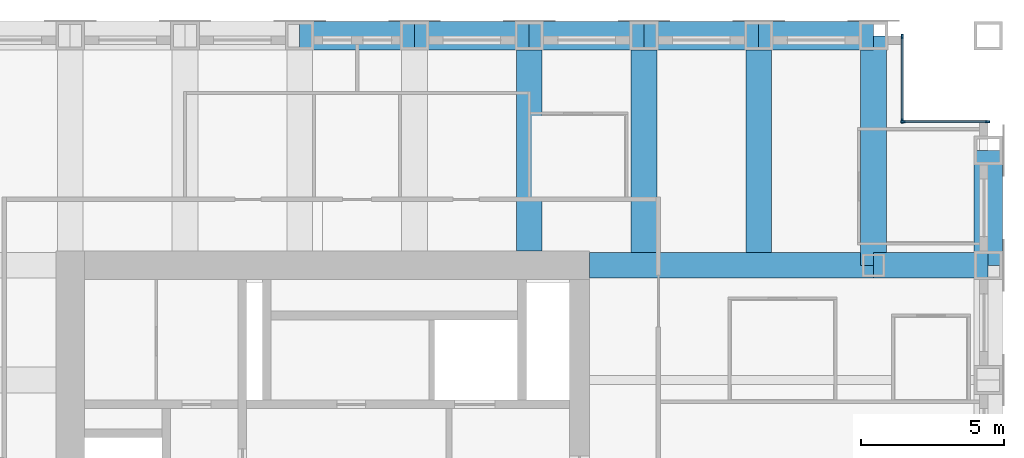
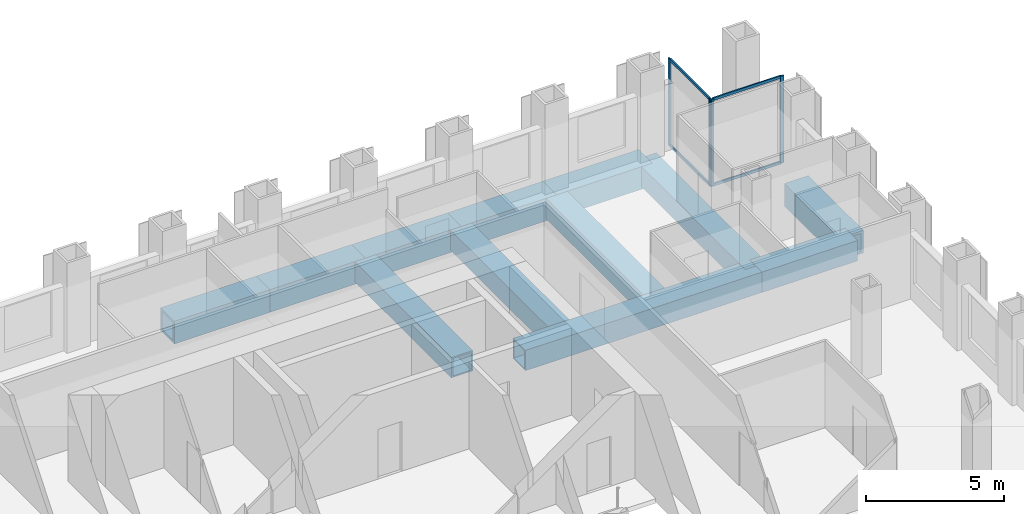
# One storey, part 6 of 13: 12 beams, 8 members, 2 elements without a shape of their own.
"""IFC4 building model written with IfcOpenShell, lengths in metres."""

from ifc_helpers import new_model, si_unit, direction, frame, origin, origin_2d, place, context, subcontext, project, spatial, rectangle, hollow_rectangle, extrude, material, material_profile, profile_set, type_object, element, aggregate, save


model = new_model("IFC4")

# Units and contexts
model_context = context("Model", 3, precision=1e-05, world=origin(), true_north=direction((0.0, 1.0)))
body_context = subcontext(model_context, "Body", "Model", "MODEL_VIEW")
ifc_project = project(units=[si_unit("LENGTHUNIT", "METRE"), si_unit("AREAUNIT", "SQUARE_METRE"), si_unit("VOLUMEUNIT", "CUBIC_METRE"), si_unit("PLANEANGLEUNIT", "RADIAN"), si_unit("MASSUNIT", "GRAM", prefix="KILO")], contexts=[model_context])

# Site, building, storey
site_placement = place(None, origin())
site = spatial("IfcSite", under=ifc_project, at=site_placement, CompositionType="ELEMENT")
building_placement = place(site_placement, origin())
building = spatial("IfcBuilding", under=site, at=building_placement, Name="Rimbunsela Tower", CompositionType="ELEMENT")
storey_placement = place(building_placement, frame((0.0, 0.0, 258.199951171875)))
storey = spatial("IfcBuildingStorey", under=building, at=storey_placement, Name="L62", CompositionType="ELEMENT", Elevation=258.199951171875)

# Beams
ifc_material_1 = material(Name="Steel BJ 55 (fy 410 MPa)", Category="steel")
ifc_material_profile_1 = material_profile(ifc_material_1, hollow_rectangle(XDim=1.0, YDim=1.0, WallThickness=0.10009765625, at=origin_2d()), Name="BOX 1000x1000x100")
ifc_profile_set_1 = profile_set([ifc_material_profile_1], Name="Steel BJ 55 (fy 410 MPa)")
beam_type_1 = type_object("IfcBeamType", Name="Beam BOX 1000x1000x100", PredefinedType="BEAM", material=ifc_profile_set_1)
for number, where, z_axis, x_axis, name in (
    (1, (26.0, 44.0, -0.64990234375), (1.0, 0.0, 0.0), (0.0, 1.0, 0.0), "Beam B3 L62"),
    (2, (30.0, 44.0, -0.64990234375), (1.0, 0.0, 0.0), (0.0, 1.0, 0.0), "Beam B3 L62"),
    (3, (34.0, 44.0, -0.64990234375), (1.0, 0.0, 0.0), (0.0, 1.0, 0.0), "Beam B3 L62"),
    (4, (38.0, 44.0, -0.64990234375), (1.0, 0.0, 0.0), (0.0, 1.0, 0.0), "Beam B3 L62"),
    (5, (42.0, 44.0, -0.64990234375), (1.0, 0.0, 0.0), (0.0, 1.0, 0.0), "Beam B3 L62"),
    (6, (50.0, 36.0, -0.64990234375), (0.0, 1.0, 0.0), (-1.0, 0.0, 0.0), "Beam B3 L62"),
):
    element("IfcBeam", number, at=place(storey_placement, frame(where, z_axis=z_axis, x_axis=x_axis)), inside=storey, type_object=beam_type_1, Name=name, PredefinedType="BEAM", context=body_context, shape_type="SweptSolid", body=[
        extrude(hollow_rectangle(XDim=1.0, YDim=1.0, WallThickness=0.10009765625, at=origin_2d()), origin(), (0.0, 0.0, 1.0), 4.0),
    ])
ifc_material_2 = material(Name="Steel BJ 55 (fy 410 MPa)", Category="steel")
ifc_material_profile_2 = material_profile(ifc_material_2, hollow_rectangle(XDim=0.89990234375, YDim=0.89990234375, WallThickness=0.06005859375, at=origin_2d()), Name="BOX 900x900x60")
ifc_profile_set_2 = profile_set([ifc_material_profile_2], Name="Steel BJ 55 (fy 410 MPa)")
beam_type_2 = type_object("IfcBeamType", Name="Beam BOX 900x900x60", PredefinedType="BEAM", material=ifc_profile_set_2)
beam_1_placement = place(storey_placement, frame((34.0, 36.5, -0.599853515625), z_axis=(0.0, 1.0, 0.0), x_axis=(-1.0, 0.0, 0.0)))
element("IfcBeam", 7, at=beam_1_placement, inside=storey, type_object=beam_type_2, Name="Beam B1 L62", PredefinedType="BEAM", context=body_context, shape_type="SweptSolid", body=[
    extrude(hollow_rectangle(XDim=0.89990234375, YDim=0.89990234375, WallThickness=0.06005859375, at=origin_2d()), origin(), (0.0, 0.0, 1.0), 7.5),
])
beam_2_placement = place(storey_placement, frame((36.10009765625, 36.0, -0.599853515625), z_axis=(1.0, 0.0, 0.0), x_axis=(0.0, 1.0, 0.0)))
element("IfcBeam", 8, at=beam_2_placement, inside=storey, type_object=beam_type_2, Name="Beam B1 L62", PredefinedType="BEAM", context=body_context, shape_type="SweptSolid", body=[
    extrude(hollow_rectangle(XDim=0.89990234375, YDim=0.89990234375, WallThickness=0.06005859375, at=origin_2d()), origin(), (0.0, 0.0, 1.0), 9.89990234375),
])
for number, where, z_axis, x_axis, name in (
    (9, (38.0, 36.449951171875, -0.599853515625), (0.0, 1.0, 0.0), (-1.0, 0.0, 0.0), "Beam B1 L62"),
    (10, (42.0, 36.449951171875, -0.599853515625), (0.0, 1.0, 0.0), (-1.0, 0.0, 0.0), "Beam B1 L62"),
):
    element("IfcBeam", number, at=place(storey_placement, frame(where, z_axis=z_axis, x_axis=x_axis)), inside=storey, type_object=beam_type_2, Name=name, PredefinedType="BEAM", context=body_context, shape_type="SweptSolid", body=[
        extrude(hollow_rectangle(XDim=0.89990234375, YDim=0.89990234375, WallThickness=0.06005859375, at=origin_2d()), origin(), (0.0, 0.0, 1.0), 7.550048828125),
    ])
beam_3_placement = place(storey_placement, frame((46.0, 36.0, -0.599853515625), z_axis=(0.0, 1.0, 0.0), x_axis=(-1.0, 0.0, 0.0)))
element("IfcBeam", 11, at=beam_3_placement, inside=storey, type_object=beam_type_2, Name="Beam B1 L62", PredefinedType="BEAM", context=body_context, shape_type="SweptSolid", body=[
    extrude(hollow_rectangle(XDim=0.89990234375, YDim=0.89990234375, WallThickness=0.06005859375, at=origin_2d()), origin(), (0.0, 0.0, 1.0), 8.0),
])
beam_4_placement = place(storey_placement, frame((46.0, 36.0, -0.599853515625), z_axis=(1.0, 0.0, 0.0), x_axis=(0.0, 1.0, 0.0)))
element("IfcBeam", 12, at=beam_4_placement, inside=storey, type_object=beam_type_2, Name="Beam B1 L62", PredefinedType="BEAM", context=body_context, shape_type="SweptSolid", body=[
    extrude(hollow_rectangle(XDim=0.89990234375, YDim=0.89990234375, WallThickness=0.06005859375, at=origin_2d()), origin(), (0.0, 0.0, 1.0), 4.0),
])

# Curtain wall, members
ifc_material_3 = material(Name="Aluminium curtain wall", Category="aluminium")
curtain_wall_type = type_object("IfcCurtainWallType", Name="Corner glazing", PredefinedType="USERDEFINED", material=ifc_material_3)
curtain_wall_1_placement = place(storey_placement, origin())
curtain_wall_1 = element("IfcCurtainWall", 13, at=curtain_wall_1_placement, inside=storey, type_object=curtain_wall_type, Name="Corner glazing L62", ObjectType="CORNER GLAZING", PredefinedType="USERDEFINED")
ifc_material_4 = material(Name="Aluminium mullion", Category="aluminium")
ifc_material_profile_3 = material_profile(ifc_material_4, rectangle(XDim=0.06005859375, YDim=0.159912109375, at=origin_2d()), Name="Mullion 60x160")
ifc_profile_set_3 = profile_set([ifc_material_profile_3], Name="Aluminium mullion")
member_type_1 = type_object("IfcMemberType", Name="Curtain wall mullion 60x160", PredefinedType="MULLION", material=ifc_profile_set_3)
member_1_placement = place(storey_placement, frame((49.969970703125, 41.0, 0.0), z_axis=(0.0, 0.0, 1.0), x_axis=(0.0, -1.0, 0.0)))
member_1 = element("IfcMember", 14, at=member_1_placement, type_object=member_type_1, Name="CW5 mullion 1", PredefinedType="MULLION", context=body_context, shape_type="SweptSolid", body=[
    extrude(rectangle(XDim=0.06005859375, YDim=0.159912109375, at=origin_2d()), origin(), (0.0, 0.0, 1.0), 3.85009765625),
])
member_2_placement = place(storey_placement, frame((47.030029296875, 41.0, 0.0), z_axis=(0.0, 0.0, 1.0), x_axis=(0.0, -1.0, 0.0)))
member_2 = element("IfcMember", 15, at=member_2_placement, type_object=member_type_1, Name="CW5 mullion 2", PredefinedType="MULLION", context=body_context, shape_type="SweptSolid", body=[
    extrude(rectangle(XDim=0.06005859375, YDim=0.159912109375, at=origin_2d()), origin(), (0.0, 0.0, 1.0), 3.85009765625),
])

curtain_wall_2_placement = place(storey_placement, origin())
curtain_wall_2 = element("IfcCurtainWall", 16, at=curtain_wall_2_placement, inside=storey, type_object=curtain_wall_type, Name="Corner glazing L62", ObjectType="CORNER GLAZING", PredefinedType="USERDEFINED")
member_3_placement = place(storey_placement, frame((47.0, 41.030029296875, 0.0), z_axis=(0.0, 0.0, 1.0), x_axis=(-1.0, 0.0, 0.0)))
member_3 = element("IfcMember", 17, at=member_3_placement, type_object=member_type_1, Name="CW5 mullion 1", PredefinedType="MULLION", context=body_context, shape_type="SweptSolid", body=[
    extrude(rectangle(XDim=0.06005859375, YDim=0.159912109375, at=origin_2d()), origin(), (0.0, 0.0, 1.0), 3.85009765625),
])
member_4_placement = place(storey_placement, frame((47.0, 43.969970703125, 0.0), z_axis=(0.0, 0.0, 1.0), x_axis=(-1.0, 0.0, 0.0)))
member_4 = element("IfcMember", 18, at=member_4_placement, type_object=member_type_1, Name="CW5 mullion 2", PredefinedType="MULLION", context=body_context, shape_type="SweptSolid", body=[
    extrude(rectangle(XDim=0.06005859375, YDim=0.159912109375, at=origin_2d()), origin(), (0.0, 0.0, 1.0), 3.85009765625),
])

# Member
ifc_material_5 = material(Name="Aluminium transom", Category="aluminium")
ifc_material_profile_4 = material_profile(ifc_material_5, rectangle(XDim=0.06005859375, YDim=0.1201171875, at=origin_2d()), Name="Transom 60x120")
ifc_profile_set_4 = profile_set([ifc_material_profile_4], Name="Aluminium transom")
member_type_2 = type_object("IfcMemberType", Name="Curtain wall transom 60x120", PredefinedType="USERDEFINED", material=ifc_profile_set_4)
member_5_placement = place(storey_placement, frame((49.93994140625, 41.0, 0.030029296875), z_axis=(-1.0, 0.0, 0.0), x_axis=(0.0, -1.0, 0.0)))
member_5 = element("IfcMember", 19, at=member_5_placement, type_object=member_type_2, Name="CW5 transom 1.1", ObjectType="TRANSOM", PredefinedType="USERDEFINED", context=body_context, shape_type="SweptSolid", body=[
    extrude(rectangle(XDim=0.06005859375, YDim=0.1201171875, at=origin_2d()), origin(), (0.0, 0.0, 1.0), 2.8798828125),
])

member_6_placement = place(storey_placement, frame((49.93994140625, 41.0, 3.820068359375), z_axis=(-1.0, 0.0, 0.0), x_axis=(0.0, -1.0, 0.0)))
member_6 = element("IfcMember", 20, at=member_6_placement, type_object=member_type_2, Name="CW5 transom 1.2", ObjectType="TRANSOM", PredefinedType="USERDEFINED", context=body_context, shape_type="SweptSolid", body=[
    extrude(rectangle(XDim=0.06005859375, YDim=0.1201171875, at=origin_2d()), origin(), (0.0, 0.0, 1.0), 2.8798828125),
])

aggregate(curtain_wall_1, [member_1, member_2, member_5, member_6])

member_7_placement = place(storey_placement, frame((47.0, 41.06005859375, 0.030029296875), z_axis=(0.0, 1.0, 0.0), x_axis=(-1.0, 0.0, 0.0)))
member_7 = element("IfcMember", 21, at=member_7_placement, type_object=member_type_2, Name="CW5 transom 1.1", ObjectType="TRANSOM", PredefinedType="USERDEFINED", context=body_context, shape_type="SweptSolid", body=[
    extrude(rectangle(XDim=0.06005859375, YDim=0.1201171875, at=origin_2d()), origin(), (0.0, 0.0, 1.0), 2.8798828125),
])

member_8_placement = place(storey_placement, frame((47.0, 41.06005859375, 3.820068359375), z_axis=(0.0, 1.0, 0.0), x_axis=(-1.0, 0.0, 0.0)))
member_8 = element("IfcMember", 22, at=member_8_placement, type_object=member_type_2, Name="CW5 transom 1.2", ObjectType="TRANSOM", PredefinedType="USERDEFINED", context=body_context, shape_type="SweptSolid", body=[
    extrude(rectangle(XDim=0.06005859375, YDim=0.1201171875, at=origin_2d()), origin(), (0.0, 0.0, 1.0), 2.8798828125),
])

aggregate(curtain_wall_2, [member_3, member_4, member_7, member_8])

save(model, "model.ifc")
